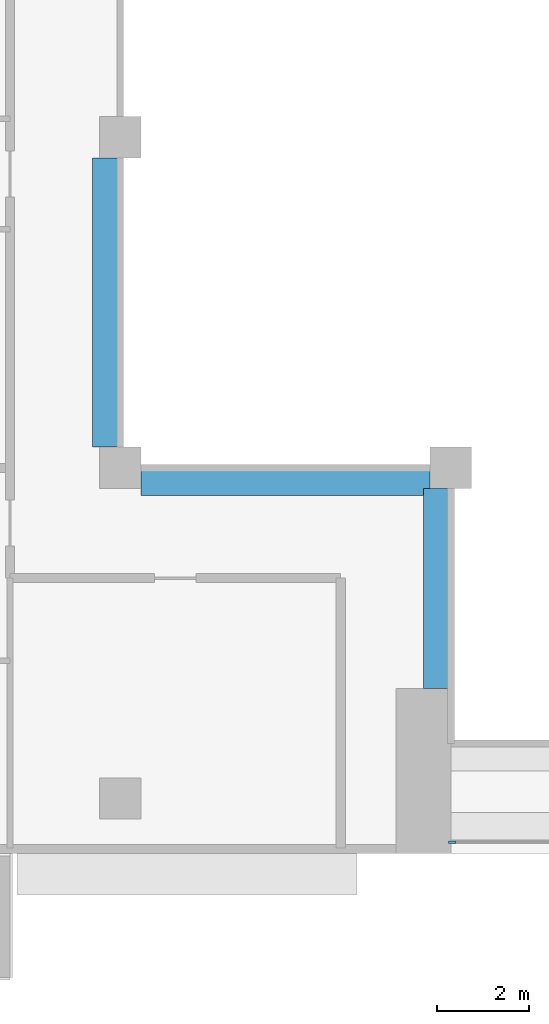
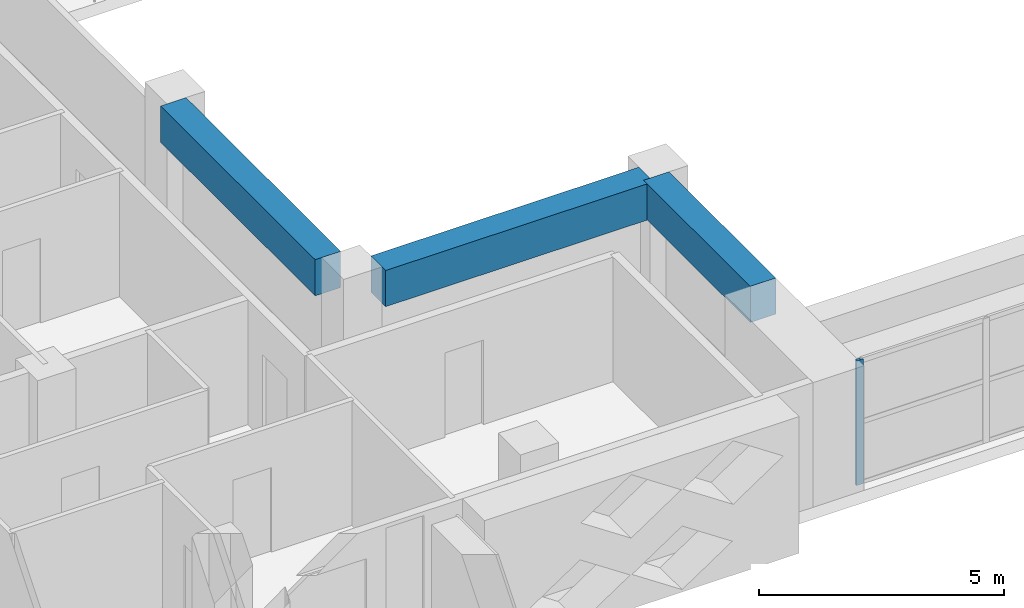
# One storey, part 2 of 20: 3 beams, 1 member, 1 element without a shape of its own.
"""IFC4 building model written with IfcOpenShell, lengths in metres."""

import ifcopenshell
import ifcopenshell.guid

model = None  # the IFC model being written
_history = None  # IfcOwnerHistory: only IFC2X3 demands one
_inside = {}  # id of a spatial element -> (the spatial element, [elements in it])
_under = {}  # id of a project, library or spatial element -> (it, [spatial elements below it])
_declared = {}  # id of a project -> (the project, [libraries it declares])
_typed = {}  # id of a type object -> (the type object, [elements of that type])
_made_of = {}  # id of a material, layer set ... -> (it, [elements and type objects made of it])


def new_model(schema):
    """Start an empty IFC model of exactly this schema.

    Asked for "IFC4X3", IfcOpenShell would pick the latest addendum, in which some entities
    have other attributes; the version numbers below select the first issue.
    IFC2X3 requires an IfcOwnerHistory on every rooted entity: one is made here for all.
    """
    global model, _history
    if schema == "IFC4X3":
        model = ifcopenshell.file(schema_version=(4, 3, 0, 0))
    else:
        model = ifcopenshell.file(schema=schema)
    _inside.clear()
    _under.clear()
    _declared.clear()
    _typed.clear()
    _made_of.clear()
    _history = None
    if model.schema == "IFC2X3":
        org = make("IfcOrganization", Name="unknown")
        user = make(
            "IfcPersonAndOrganization",
            ThePerson=make("IfcPerson", FamilyName="unknown"),
            TheOrganization=org,
        )
        app = make(
            "IfcApplication",
            ApplicationDeveloper=org,
            Version="unknown",
            ApplicationFullName="unknown",
            ApplicationIdentifier="unknown",
        )
        _history = make(
            "IfcOwnerHistory",
            OwningUser=user,
            OwningApplication=app,
            ChangeAction="ADDED",
            CreationDate=0,
        )
    return model


def make(cls, **values):
    """One entity of the class cls with the attributes given. An attribute that is None is left unset."""
    return model.create_entity(
        cls, **{name: value for name, value in values.items() if value is not None}
    )


def rooted(cls, **values):
    """An entity with a GlobalId (a new one), such as an element, a storey or a relation."""
    return make(cls, GlobalId=ifcopenshell.guid.new(), OwnerHistory=_history, **values)


def si_unit(unit_type, name, prefix=None):
    """IfcSIUnit, for example si_unit("LENGTHUNIT", "METRE", prefix="MILLI")."""
    return make("IfcSIUnit", UnitType=unit_type, Prefix=prefix, Name=name)


def assignment(units):
    """IfcUnitAssignment: the units of a project."""
    return None if units is None else make("IfcUnitAssignment", Units=units)


def point(xyz):
    """IfcCartesianPoint."""
    return None if xyz is None else make("IfcCartesianPoint", Coordinates=xyz)


def direction(xyz):
    """IfcDirection."""
    return None if xyz is None else make("IfcDirection", DirectionRatios=xyz)


def frame(location, z_axis=None, x_axis=None):
    """IfcAxis2Placement3D, a coordinate frame: its origin and axes. An axis left out is left unset."""
    return make(
        "IfcAxis2Placement3D",
        Location=point(location),
        Axis=direction(z_axis),
        RefDirection=direction(x_axis),
    )


def frame_2d(location, x_axis=None):
    """IfcAxis2Placement2D, a coordinate frame in the plane: its origin and x axis."""
    return make(
        "IfcAxis2Placement2D", Location=point(location), RefDirection=direction(x_axis)
    )


def origin():
    """The frame at (0, 0, 0) with its axes left unset."""
    return frame((0.0, 0.0, 0.0))


def origin_2d():
    """The frame at (0, 0) in the plane with its x axis left unset."""
    return frame_2d((0.0, 0.0))


def place(relative_to, where):
    """IfcLocalPlacement: puts the frame where relative to a parent placement (None: the world)."""
    return make(
        "IfcLocalPlacement", PlacementRelTo=relative_to, RelativePlacement=where
    )


def context(
    kind, dimensions, precision=None, world=None, true_north=None, identifier=None
):
    """IfcGeometricRepresentationContext, for example the 3D "Model" context."""
    return make(
        "IfcGeometricRepresentationContext",
        ContextIdentifier=identifier,
        ContextType=kind,
        CoordinateSpaceDimension=dimensions,
        Precision=precision,
        WorldCoordinateSystem=world,
        TrueNorth=true_north,
    )


def subcontext(parent, identifier, kind, view, scale=None):
    """IfcGeometricRepresentationSubContext, for example "Body" below "Model"."""
    return make(
        "IfcGeometricRepresentationSubContext",
        ContextIdentifier=identifier,
        ContextType=kind,
        ParentContext=parent,
        TargetScale=scale,
        TargetView=view,
    )


def project(units=None, contexts=None):
    """IfcProject with its units and contexts."""
    return rooted(
        "IfcProject",
        Name="project",
        RepresentationContexts=contexts,
        UnitsInContext=assignment(units),
    )


def spatial(cls, under=None, at=None, **own):
    """A site, building, storey or space (cls), placed at a placement, below another one or the project."""
    s = rooted(cls, ObjectPlacement=at, **own)
    if under is not None:
        _under.setdefault(under.id(), (under, []))[1].append(s)
    return s


def profile(cls, at=None, kind="AREA", **sizes):
    """A parametric profile (cls). Its sizes go by their IFC names, for example OverallWidth=200.0."""
    return make(cls, ProfileType=kind, Position=at, **sizes)


def rectangle(**sizes):
    """IfcRectangleProfileDef."""
    return profile("IfcRectangleProfileDef", **sizes)


def extrude(swept, where, along, depth):
    """IfcExtrudedAreaSolid: the profile swept, set in the frame where, extruded along a direction by depth."""
    return make(
        "IfcExtrudedAreaSolid",
        SweptArea=swept,
        Position=where,
        ExtrudedDirection=direction(along),
        Depth=depth,
    )


def shape(context_of_items, identifier, shape_type, items):
    """IfcShapeRepresentation: the items that make up one representation, for example the "Body"."""
    return make(
        "IfcShapeRepresentation",
        ContextOfItems=context_of_items,
        RepresentationIdentifier=identifier,
        RepresentationType=shape_type,
        Items=items,
    )


def source(mapping_origin, context_of_items, identifier, shape_type, items):
    """IfcRepresentationMap: a shape defined once, which mapped items show again and again."""
    return make(
        "IfcRepresentationMap",
        MappingOrigin=mapping_origin,
        MappedRepresentation=shape(context_of_items, identifier, shape_type, items),
    )


def transform(
    local_origin,
    x_axis=None,
    y_axis=None,
    z_axis=None,
    scale=None,
    scale2=None,
    scale3=None,
    uniform=True,
):
    """IfcCartesianTransformationOperator3D, or its non-uniform kind. x_axis, y_axis, z_axis: its Axis1, 2, 3."""
    if uniform:
        return make(
            "IfcCartesianTransformationOperator3D",
            Axis1=direction(x_axis),
            Axis2=direction(y_axis),
            LocalOrigin=point(local_origin),
            Scale=scale,
            Axis3=direction(z_axis),
        )
    return make(
        "IfcCartesianTransformationOperator3DnonUniform",
        Axis1=direction(x_axis),
        Axis2=direction(y_axis),
        LocalOrigin=point(local_origin),
        Scale=scale,
        Axis3=direction(z_axis),
        Scale2=scale2,
        Scale3=scale3,
    )


def mapped(mapping_source, mapping_target):
    """IfcMappedItem: shows the shape of a source again, moved by a transform."""
    return make(
        "IfcMappedItem", MappingSource=mapping_source, MappingTarget=mapping_target
    )


def material(Name=None, Category=None):
    """IfcMaterial."""
    return make("IfcMaterial", Name=Name, Category=Category)


def layer(
    of_material, thickness, ventilated=None, Name=None, Category=None, Priority=None
):
    """IfcMaterialLayer: one layer of a wall or slab, of a material (None: an air gap)."""
    return make(
        "IfcMaterialLayer",
        Material=of_material,
        LayerThickness=thickness,
        IsVentilated=ventilated,
        Name=Name,
        Category=Category,
        Priority=Priority,
    )


def layer_set(layers, Name=None):
    """IfcMaterialLayerSet."""
    return make("IfcMaterialLayerSet", MaterialLayers=layers, LayerSetName=Name)


def material_profile(
    of_material, cross_section, Name=None, Category=None, Priority=None
):
    """IfcMaterialProfile: a cross section and its material."""
    return make(
        "IfcMaterialProfile",
        Name=Name,
        Material=of_material,
        Profile=cross_section,
        Priority=Priority,
        Category=Category,
    )


def profile_set(profiles, Name=None, composite=None):
    """IfcMaterialProfileSet."""
    return make(
        "IfcMaterialProfileSet",
        Name=Name,
        MaterialProfiles=profiles,
        CompositeProfile=composite,
    )


def made_of(thing, what):
    """Note that an element or type object is made of a material, layer set ...; save() writes the relation."""
    if what is not None:
        _made_of.setdefault(what.id(), (what, []))[1].append(thing)
    return thing


def type_object(cls, material=None, **own):
    """A type object (cls), such as IfcWallType, which elements share."""
    return made_of(rooted(cls, **own), material)


def element(
    cls,
    number,
    at=None,
    inside=None,
    cuts=None,
    type_object=None,
    material=None,
    context=None,
    identifier="Body",
    shape_type=None,
    held_by="IfcProductDefinitionShape",
    body=None,
    shapes=None,
    **own,
):
    """One element of the class cls, such as IfcWall. Its Tag is "e" and its number.

    at: its placement. inside: the storey or other place that contains it. cuts: it is an
    opening in that element (IfcRelVoidsElement). A single representation is given by context,
    identifier, shape_type and body (its items); several are given by shapes. held_by: the class
    of the entity that holds the representations. save() writes the other relations.
    """
    e = rooted(cls, Tag="e%d" % number, ObjectPlacement=at, **own)
    if body is not None:
        shapes = [shape(context, identifier, shape_type, body)]
    if shapes is not None:
        e.Representation = make(held_by, Representations=shapes)
    if inside is not None:
        _inside.setdefault(inside.id(), (inside, []))[1].append(e)
    if cuts is not None:
        rooted(
            "IfcRelVoidsElement", RelatingBuildingElement=cuts, RelatedOpeningElement=e
        )
    if type_object is not None:
        _typed.setdefault(type_object.id(), (type_object, []))[1].append(e)
    return made_of(e, material)


def aggregate(whole, parts):
    """IfcRelAggregates: a whole, such as a stair, and the parts it consists of."""
    return rooted("IfcRelAggregates", RelatingObject=whole, RelatedObjects=parts)


def save(model, path):
    """Write the relations noted so far, then the file.

    IfcRelAggregates (storeys below a building ...), IfcRelContainedInSpatialStructure (elements
    in a storey), IfcRelDefinesByType, IfcRelAssociatesMaterial and IfcRelDeclares: one each for
    every whole, place, type object, material and project.
    """
    for whole, parts in _under.values():
        aggregate(whole, parts)
    for where, things in _inside.values():
        rooted(
            "IfcRelContainedInSpatialStructure",
            RelatedElements=things,
            RelatingStructure=where,
        )
    for kind, things in _typed.values():
        rooted("IfcRelDefinesByType", RelatedObjects=things, RelatingType=kind)
    for what, things in _made_of.values():
        rooted("IfcRelAssociatesMaterial", RelatedObjects=things, RelatingMaterial=what)
    for by, libraries in _declared.values():
        rooted("IfcRelDeclares", RelatingContext=by, RelatedDefinitions=libraries)
    model.write(path)


model = new_model("IFC4")

# Units and contexts
model_context = context("Model", 3, precision=1e-05, world=origin(), true_north=direction((0.0, 1.0)))
body_context = subcontext(model_context, "Body", "Model", "MODEL_VIEW")
ifc_project = project(units=[si_unit("LENGTHUNIT", "METRE"), si_unit("AREAUNIT", "SQUARE_METRE"), si_unit("VOLUMEUNIT", "CUBIC_METRE"), si_unit("PLANEANGLEUNIT", "RADIAN"), si_unit("MASSUNIT", "GRAM", prefix="KILO")], contexts=[model_context])

# Site, building, storey
site_placement = place(None, origin())
site = spatial("IfcSite", under=ifc_project, at=site_placement, CompositionType="ELEMENT")
building_placement = place(site_placement, origin())
building = spatial("IfcBuilding", under=site, at=building_placement, Name="Saffron Iwan Residences", CompositionType="ELEMENT")
storey_placement = place(building_placement, frame((0.0, 0.0, 202.5)))
storey = spatial("IfcBuildingStorey", under=building, at=storey_placement, Name="L54", CompositionType="ELEMENT", Elevation=202.5)

# Beams
ifc_material_1 = material(Name="Concrete C50/60", Category="concrete")
ifc_material_profile_1 = material_profile(ifc_material_1, rectangle(XDim=0.60009765625, YDim=0.89990234375, at=origin_2d()), Name="RC 600x900")
ifc_profile_set_1 = profile_set([ifc_material_profile_1], Name="Concrete C50/60")
beam_type = type_object("IfcBeamType", Name="BEAM RC 600x900 C50/60 TOP 3100", PredefinedType="BEAM", material=ifc_profile_set_1)
shared_shape_1 = source(origin(), body_context, "Body", "SweptSolid", [
    extrude(rectangle(XDim=0.60009765625, YDim=0.89990234375, at=origin_2d()), origin(), (0.0, 0.0, 1.0), 4.35009765625),
])
beam_placement = place(storey_placement, frame((42.89990234375, 43.199951171875, 2.64990234375), z_axis=(0.0, 1.0, 0.0), x_axis=(-1.0, 0.0, 0.0)))
element("IfcBeam", 1, at=beam_placement, inside=storey, type_object=beam_type, Name="Atrium edge beam", PredefinedType="BEAM", context=body_context, shape_type="MappedRepresentation", body=[
    mapped(shared_shape_1, transform((0.0, 0.0, 0.0))),
])
shared_shape_2 = source(origin(), body_context, "Body", "SweptSolid", [
    extrude(rectangle(XDim=0.60009765625, YDim=0.89990234375, at=origin_2d()), origin(), (0.0, 0.0, 1.0), 6.300048828125),
])
for number, where, z_axis, x_axis, name in (
    (2, (42.75, 47.699951171875, 2.64990234375), (-1.0, 0.0, 0.0), (0.0, -1.0, 0.0), "Atrium edge beam"),
    (3, (35.699951171875, 48.449951171875, 2.64990234375), (0.0, 1.0, 0.0), (-1.0, 0.0, 0.0), "Atrium edge beam"),
):
    element("IfcBeam", number, at=place(storey_placement, frame(where, z_axis=z_axis, x_axis=x_axis)), inside=storey, type_object=beam_type, Name=name, PredefinedType="BEAM", context=body_context, shape_type="MappedRepresentation", body=[
        mapped(shared_shape_2, transform((0.0, 0.0, 0.0))),
    ])

# Curtain wall, member
ifc_material_2 = material(Name="Clear glass, laminated double glazed", Category="glass")
ifc_layer = layer(ifc_material_2, 0.199951171875)
ifc_layer_set = layer_set([ifc_layer], Name="Clear glass, laminated double glazed")
curtain_wall_type = type_object("IfcCurtainWallType", Name="CW-B IWAN PORTAL", PredefinedType="NOTDEFINED", material=ifc_layer_set)
curtain_wall_placement = place(storey_placement, origin())
curtain_wall = element("IfcCurtainWall", 4, at=curtain_wall_placement, inside=storey, type_object=curtain_wall_type, Name="Iwan portal glazing L54.1", PredefinedType="NOTDEFINED")
ifc_material_3 = material(Name="Aluminium 6063-T6", Category="aluminium")
ifc_material_profile_2 = material_profile(ifc_material_3, rectangle(XDim=0.06005859375, YDim=0.159912109375, at=origin_2d()), Name="CW-B MULLION 60 x 160")
ifc_profile_set_2 = profile_set([ifc_material_profile_2], Name="Aluminium 6063-T6")
member_type = type_object("IfcMemberType", Name="CW-B MULLION 60 x 160", PredefinedType="MULLION", material=ifc_profile_set_2)
shared_shape_3 = source(origin(), body_context, "Body", "SweptSolid", [
    extrude(rectangle(XDim=0.06005859375, YDim=0.159912109375, at=origin_2d()), origin(), (0.0, 0.0, 1.0), 3.10009765625),
])
member_placement = place(storey_placement, frame((43.22998046875, 39.85009765625, 0.0), z_axis=(0.0, 0.0, 1.0), x_axis=(0.0, 1.0, 0.0)))
member = element("IfcMember", 5, at=member_placement, type_object=member_type, Name="CW-B mullion 1", PredefinedType="MULLION", context=body_context, shape_type="MappedRepresentation", body=[
    mapped(shared_shape_3, transform((0.0, 0.0, 0.0))),
])
aggregate(curtain_wall, [member])

save(model, "model.ifc")
